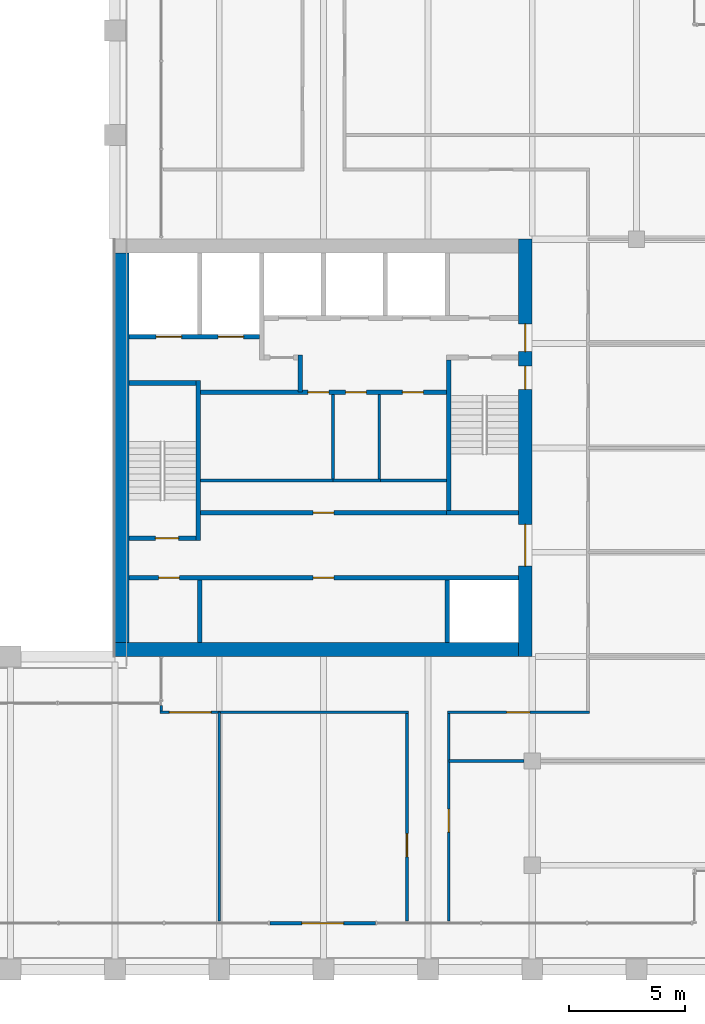
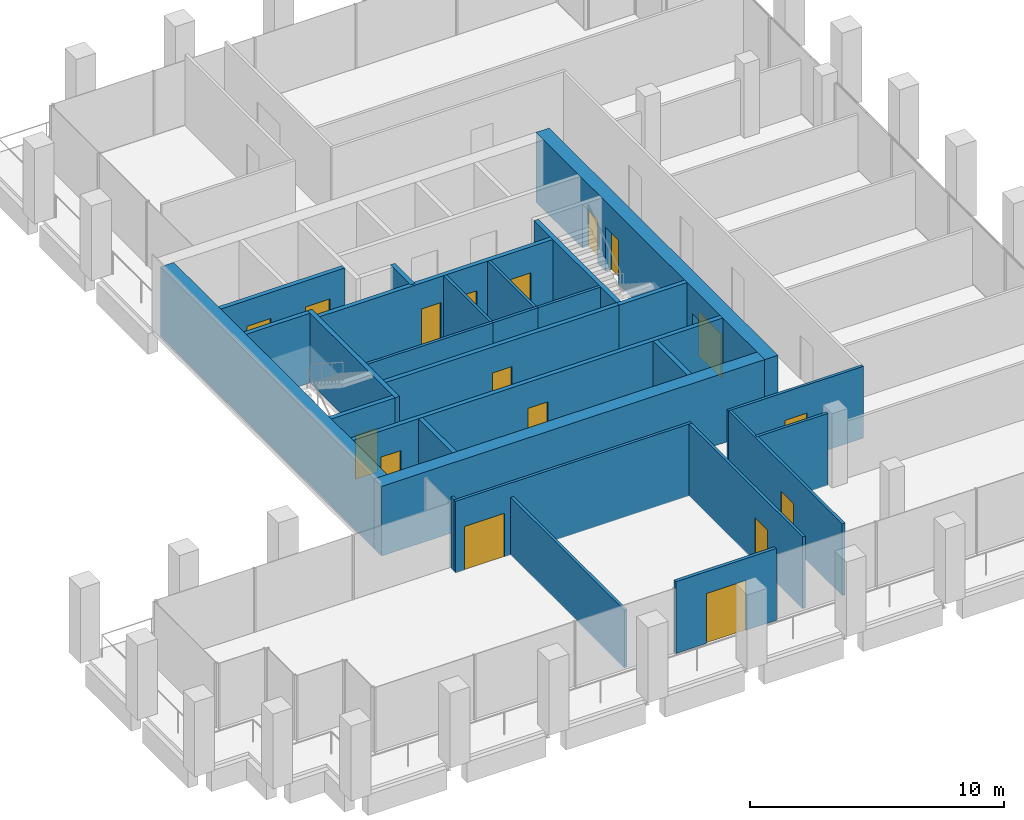
# One storey, part 36 of 40: 28 walls, 17 doors, 17 openings.
"""IFC4 building model written with IfcOpenShell, lengths in metres."""

from ifc_helpers import new_model, si_unit, direction, frame, frame_2d, origin, place, context, subcontext, project, spatial, rectangle, extrude, material, layer, layer_set, type_object, element, fill, save


model = new_model("IFC4")

# Units and contexts
model_context = context("Model", 3, precision=1e-05, world=origin(), true_north=direction((0.0, 1.0)))
body_context = subcontext(model_context, "Body", "Model", "MODEL_VIEW")
ifc_project = project(units=[si_unit("LENGTHUNIT", "METRE"), si_unit("AREAUNIT", "SQUARE_METRE"), si_unit("VOLUMEUNIT", "CUBIC_METRE"), si_unit("PLANEANGLEUNIT", "RADIAN"), si_unit("MASSUNIT", "GRAM", prefix="KILO")], contexts=[model_context])

# Site, building, storey
site_placement = place(None, origin())
site = spatial("IfcSite", under=ifc_project, at=site_placement, CompositionType="ELEMENT")
building_placement = place(site_placement, origin())
building = spatial("IfcBuilding", under=site, at=building_placement, Name="Altepetl Exchange Towers", CompositionType="ELEMENT")
storey_placement = place(building_placement, frame((0.0, 0.0, 176.199951171875)))
storey = spatial("IfcBuildingStorey", under=building, at=storey_placement, Name="L44", CompositionType="ELEMENT", Elevation=176.199951171875)

# Wall, openings, doors
ifc_material_1 = material(Name="Concrete C70/85", Category="concrete")
ifc_layer_1 = layer(ifc_material_1, 0.60009765625)
ifc_layer_set_1 = layer_set([ifc_layer_1], Name="Concrete C70/85")
wall_type_1 = type_object("IfcWallType", Name="Core wall 600 reinforced concrete", PredefinedType="SHEAR", material=ifc_layer_set_1)
wall_1_placement = place(storey_placement, frame((58.199951171875, 40.5, 0.0), z_axis=(0.0, 0.0, 1.0), x_axis=(0.0, 1.0, 0.0)))
wall_1 = element("IfcWall", 1, at=wall_1_placement, inside=storey, type_object=wall_type_1, Name="wall:A:L44:K-coreE", PredefinedType="SHEAR", context=body_context, shape_type="SweptSolid", body=[
    extrude(rectangle(XDim=18.0, YDim=0.60009765625, at=frame_2d((9.0, 0.0))), origin(), (0.0, 0.0, 1.0), 3.35009765625),
])
opening_1_placement = place(wall_1_placement, frame((13.14990234375, 0.0, 0.0)))
opening_1 = element("IfcOpeningElement", 2, at=opening_1_placement, cuts=wall_1, Name="Opening L44.A60", PredefinedType="OPENING", context=body_context, shape_type="SweptSolid", body=[
    extrude(rectangle(XDim=1.199951171875, YDim=2.10009765625, at=frame_2d((0.60009765625, 1.050048828125))), frame((0.0, 0.31005859375, 0.0), z_axis=(0.0, -1.0, 0.0), x_axis=(1.0, 0.0, 0.0)), (0.0, 0.0, 1.0), 0.6201171875),
])
opening_2_placement = place(wall_1_placement, frame((3.89990234375, 0.0, 0.0)))
opening_2 = element("IfcOpeningElement", 3, at=opening_2_placement, cuts=wall_1, Name="Opening L44.A61", PredefinedType="OPENING", context=body_context, shape_type="SweptSolid", body=[
    extrude(rectangle(XDim=1.800048828125, YDim=2.10009765625, at=frame_2d((0.89990234375, 1.050048828125))), frame((0.0, 0.31005859375, 0.0), z_axis=(0.0, -1.0, 0.0), x_axis=(1.0, 0.0, 0.0)), (0.0, 0.0, 1.0), 0.6201171875),
])
opening_3_placement = place(wall_1_placement, frame((11.52490234375, 0.0, 0.0)))
opening_3 = element("IfcOpeningElement", 4, at=opening_3_placement, cuts=wall_1, Name="Opening L44.A64", PredefinedType="OPENING", context=body_context, shape_type="SweptSolid", body=[
    extrude(rectangle(XDim=1.0, YDim=2.10009765625, at=frame_2d((0.5, 1.050048828125))), frame((0.0, 0.31005859375, 0.0), z_axis=(0.0, -1.0, 0.0), x_axis=(1.0, 0.0, 0.0)), (0.0, 0.0, 1.0), 0.6201171875),
])
ifc_material_2 = material(Name="Steel and timber fire door", Category="steel")
door_type_1 = type_object("IfcDoorType", Name="Fire door 1000 x 2100 stair and lobby", OperationType="SINGLE_SWING_LEFT", PredefinedType="DOOR", material=ifc_material_2)
door_1_placement = place(opening_3_placement, origin())
door_1 = element("IfcDoor", 5, at=door_1_placement, inside=storey, type_object=door_type_1, Name="door:A:L44:K-dS2x", OperationType="SINGLE_SWING_RIGHT", OverallHeight=2.10009765625, OverallWidth=1.0, PredefinedType="DOOR", context=body_context, shape_type="SweptSolid", body=[
    extrude(rectangle(XDim=1.0, YDim=2.10009765625, at=frame_2d((0.5, 1.050048828125))), frame((0.0, 0.02490234375, 0.0), z_axis=(0.0, -1.0, 0.0), x_axis=(1.0, 0.0, 0.0)), (0.0, 0.0, 1.0), 0.050048828125),
])
fill(opening_3, door_1)
door_type_2 = type_object("IfcDoorType", Name="Fire door 1200 x 2100 lobby entry", OperationType="SINGLE_SWING_LEFT", PredefinedType="DOOR", material=ifc_material_2)
door_2_placement = place(opening_1_placement, origin())
door_2 = element("IfcDoor", 6, at=door_2_placement, inside=storey, type_object=door_type_2, Name="door:A:L44:K-dLNE", OperationType="SINGLE_SWING_RIGHT", OverallHeight=2.10009765625, OverallWidth=1.199951171875, PredefinedType="DOOR", context=body_context, shape_type="SweptSolid", body=[
    extrude(rectangle(XDim=1.199951171875, YDim=2.10009765625, at=frame_2d((0.60009765625, 1.050048828125))), frame((0.0, 0.02490234375, 0.0), z_axis=(0.0, -1.0, 0.0), x_axis=(1.0, 0.0, 0.0)), (0.0, 0.0, 1.0), 0.050048828125),
])
fill(opening_1, door_2)
door_type_3 = type_object("IfcDoorType", Name="Fire door 1800 x 2100 lobby entry", OperationType="DOUBLE_DOOR_SINGLE_SWING", PredefinedType="DOOR", material=ifc_material_2)
door_3_placement = place(opening_2_placement, origin())
door_3 = element("IfcDoor", 7, at=door_3_placement, inside=storey, type_object=door_type_3, Name="door:A:L44:K-dLSE", OperationType="DOUBLE_DOOR_SINGLE_SWING", OverallHeight=2.10009765625, OverallWidth=1.800048828125, PredefinedType="DOOR", context=body_context, shape_type="SweptSolid", body=[
    extrude(rectangle(XDim=1.800048828125, YDim=2.10009765625, at=frame_2d((0.89990234375, 1.050048828125))), frame((0.0, 0.02490234375, 0.0), z_axis=(0.0, -1.0, 0.0), x_axis=(1.0, 0.0, 0.0)), (0.0, 0.0, 1.0), 0.050048828125),
])
fill(opening_2, door_3)

# Walls
wall_2_placement = place(storey_placement, frame((40.5, 40.800048828125, 0.0)))
element("IfcWall", 8, at=wall_2_placement, inside=storey, type_object=wall_type_1, Name="wall:A:L44:K-coreS", PredefinedType="SHEAR", context=body_context, shape_type="SweptSolid", body=[
    extrude(rectangle(XDim=17.39990234375, YDim=0.60009765625, at=frame_2d((8.699951171875, 0.0))), origin(), (0.0, 0.0, 1.0), 3.35009765625),
])
ifc_layer_2 = layer(ifc_material_1, 0.60009765625)
ifc_layer_set_2 = layer_set([ifc_layer_2], Name="Concrete C70/85")
wall_type_2 = type_object("IfcWallType", Name="Core wall 600 reinforced concrete external", PredefinedType="SHEAR", material=ifc_layer_set_2)
wall_3_placement = place(storey_placement, frame((40.800048828125, 41.10009765625, 0.0), z_axis=(0.0, 0.0, 1.0), x_axis=(0.0, 1.0, 0.0)))
element("IfcWall", 9, at=wall_3_placement, inside=storey, type_object=wall_type_2, Name="wall:A:L44:K-coreW", PredefinedType="SHEAR", context=body_context, shape_type="SweptSolid", body=[
    extrude(rectangle(XDim=16.7998046875, YDim=0.60009765625, at=frame_2d((8.39990234375, 0.0))), origin(), (0.0, 0.0, 1.0), 3.35009765625),
])

# Wall, opening, door
ifc_material_3 = material(Name="Aluminium composite cladding", Category="aluminium")
ifc_layer_3 = layer(ifc_material_3, 0.14990234375)
ifc_layer_set_3 = layer_set([ifc_layer_3], Name="Aluminium composite cladding")
wall_type_3 = type_object("IfcWallType", Name="Infill wall 150 aluminium panel", PredefinedType="SOLIDWALL", material=ifc_layer_set_3)
wall_4_placement = place(storey_placement, frame((47.18212890625, 29.0, 0.0)))
wall_4 = element("IfcWall", 10, at=wall_4_placement, inside=storey, type_object=wall_type_3, Name="Loggia door bay wall", PredefinedType="SOLIDWALL", context=body_context, shape_type="SweptSolid", body=[
    extrude(rectangle(XDim=4.560791015625, YDim=0.14990234375, at=frame_2d((2.2802734375, 0.0))), origin(), (0.0, 0.0, 1.0), 3.449951171875),
])
opening_4_placement = place(wall_4_placement, frame((1.38037109375, 0.0, 0.0)))
opening_4 = element("IfcOpeningElement", 11, at=opening_4_placement, cuts=wall_4, Name="Opening L44.A90", PredefinedType="OPENING", context=body_context, shape_type="SweptSolid", body=[
    extrude(rectangle(XDim=1.800048828125, YDim=2.39990234375, at=frame_2d((0.89990234375, 1.199951171875))), frame((0.0, 0.0849609375, 0.0), z_axis=(0.0, -1.0, 0.0), x_axis=(1.0, 0.0, 0.0)), (0.0, 0.0, 1.0), 0.169921875),
])
ifc_material_4 = material(Name="Aluminium 6063-T6 and glass", Category="aluminium")
door_type_4 = type_object("IfcDoorType", Name="Glazed door pair 1800x2400", OperationType="DOUBLE_DOOR_DOUBLE_SWING", PredefinedType="NOTDEFINED", material=ifc_material_4)
door_4_placement = place(opening_4_placement, frame((1.800048828125, 0.0, 0.0), x_axis=(-1.0, 0.0, 0.0)))
door_4 = element("IfcDoor", 12, at=door_4_placement, inside=storey, type_object=door_type_4, Name="Loggia door", OperationType="DOUBLE_DOOR_DOUBLE_SWING", OverallHeight=2.39990234375, OverallWidth=1.800048828125, PredefinedType="NOTDEFINED", context=body_context, shape_type="SweptSolid", body=[
    extrude(rectangle(XDim=1.800048828125, YDim=2.39990234375, at=frame_2d((0.89990234375, 1.199951171875))), frame((0.0, 0.02490234375, 0.0), z_axis=(0.0, -1.0, 0.0), x_axis=(1.0, 0.0, 0.0)), (0.0, 0.0, 1.0), 0.050048828125),
])
fill(opening_4, door_4)

# Wall
ifc_material_5 = material(Name="Concrete blockwork", Category="masonry")
ifc_layer_4 = layer(ifc_material_5, 0.199951171875)
ifc_layer_set_4 = layer_set([ifc_layer_4], Name="Concrete blockwork")
wall_type_4 = type_object("IfcWallType", Name="Lobby wall 200 blockwork", PredefinedType="PARTITIONING", material=ifc_layer_set_4)
wall_5_placement = place(storey_placement, frame((48.5, 51.89990234375, 0.0), z_axis=(0.0, 0.0, 1.0), x_axis=(0.0, 1.0, 0.0)))
element("IfcWall", 13, at=wall_5_placement, inside=storey, type_object=wall_type_4, Name="wall:A:L44:K-ffE", PredefinedType="PARTITIONING", context=body_context, shape_type="SweptSolid", body=[
    extrude(rectangle(XDim=1.60009765625, YDim=0.199951171875, at=frame_2d((0.800048828125, 0.0))), origin(), (0.0, 0.0, 1.0), 3.35009765625),
])

# Wall, openings, doors
wall_6_placement = place(storey_placement, frame((44.199951171875, 51.89990234375, 0.0)))
wall_6 = element("IfcWall", 14, at=wall_6_placement, inside=storey, type_object=wall_type_4, Name="wall:A:L44:K-zoneN", PredefinedType="PARTITIONING", context=body_context, shape_type="SweptSolid", body=[
    extrude(rectangle(XDim=10.60009765625, YDim=0.199951171875, at=frame_2d((5.300048828125, 0.0))), origin(), (0.0, 0.0, 1.0), 3.35009765625),
])
opening_5_placement = place(wall_6_placement, frame((4.625, 0.0, 0.0)))
opening_5 = element("IfcOpeningElement", 15, at=opening_5_placement, cuts=wall_6, Name="Opening L44.A70", PredefinedType="OPENING", context=body_context, shape_type="SweptSolid", body=[
    extrude(rectangle(XDim=0.89990234375, YDim=2.10009765625, at=frame_2d((0.449951171875, 1.050048828125))), frame((0.0, 0.10986328125, 0.0), z_axis=(0.0, -1.0, 0.0), x_axis=(1.0, 0.0, 0.0)), (0.0, 0.0, 1.0), 0.219970703125),
])
opening_6_placement = place(wall_6_placement, frame((6.25, 0.0, 0.0)))
opening_6 = element("IfcOpeningElement", 16, at=opening_6_placement, cuts=wall_6, Name="Opening L44.A71", PredefinedType="OPENING", context=body_context, shape_type="SweptSolid", body=[
    extrude(rectangle(XDim=0.89990234375, YDim=2.10009765625, at=frame_2d((0.449951171875, 1.050048828125))), frame((0.0, 0.10986328125, 0.0), z_axis=(0.0, -1.0, 0.0), x_axis=(1.0, 0.0, 0.0)), (0.0, 0.0, 1.0), 0.219970703125),
])
opening_7_placement = place(wall_6_placement, frame((8.699951171875, 0.0, 0.0)))
opening_7 = element("IfcOpeningElement", 17, at=opening_7_placement, cuts=wall_6, Name="Opening L44.A72", PredefinedType="OPENING", context=body_context, shape_type="SweptSolid", body=[
    extrude(rectangle(XDim=0.89990234375, YDim=2.10009765625, at=frame_2d((0.449951171875, 1.050048828125))), frame((0.0, 0.10986328125, 0.0), z_axis=(0.0, -1.0, 0.0), x_axis=(1.0, 0.0, 0.0)), (0.0, 0.0, 1.0), 0.219970703125),
])
door_type_5 = type_object("IfcDoorType", Name="Fire door 900 x 2100 service room", OperationType="SINGLE_SWING_LEFT", PredefinedType="DOOR", material=ifc_material_2)
door_5_placement = place(opening_5_placement, frame((0.89990234375, 0.0, 0.0), x_axis=(-1.0, 0.0, 0.0)))
door_5 = element("IfcDoor", 18, at=door_5_placement, inside=storey, type_object=door_type_5, Name="door:A:L44:K-dz2", OperationType="SINGLE_SWING_RIGHT", OverallHeight=2.10009765625, OverallWidth=0.89990234375, PredefinedType="DOOR", context=body_context, shape_type="SweptSolid", body=[
    extrude(rectangle(XDim=0.89990234375, YDim=2.10009765625, at=frame_2d((0.449951171875, 1.050048828125))), frame((0.0, 0.02490234375, 0.0), z_axis=(0.0, -1.0, 0.0), x_axis=(1.0, 0.0, 0.0)), (0.0, 0.0, 1.0), 0.050048828125),
])
fill(opening_5, door_5)
door_6_placement = place(opening_6_placement, frame((0.89990234375, 0.0, 0.0), x_axis=(-1.0, 0.0, 0.0)))
door_6 = element("IfcDoor", 19, at=door_6_placement, inside=storey, type_object=door_type_5, Name="door:A:L44:K-dz3", OperationType="SINGLE_SWING_LEFT", OverallHeight=2.10009765625, OverallWidth=0.89990234375, PredefinedType="DOOR", context=body_context, shape_type="SweptSolid", body=[
    extrude(rectangle(XDim=0.89990234375, YDim=2.10009765625, at=frame_2d((0.449951171875, 1.050048828125))), frame((0.0, 0.02490234375, 0.0), z_axis=(0.0, -1.0, 0.0), x_axis=(1.0, 0.0, 0.0)), (0.0, 0.0, 1.0), 0.050048828125),
])
fill(opening_6, door_6)
door_7_placement = place(opening_7_placement, frame((0.89990234375, 0.0, 0.0), x_axis=(-1.0, 0.0, 0.0)))
door_7 = element("IfcDoor", 20, at=door_7_placement, inside=storey, type_object=door_type_5, Name="door:A:L44:K-dz4", OperationType="SINGLE_SWING_LEFT", OverallHeight=2.10009765625, OverallWidth=0.89990234375, PredefinedType="DOOR", context=body_context, shape_type="SweptSolid", body=[
    extrude(rectangle(XDim=0.89990234375, YDim=2.10009765625, at=frame_2d((0.449951171875, 1.050048828125))), frame((0.0, 0.02490234375, 0.0), z_axis=(0.0, -1.0, 0.0), x_axis=(1.0, 0.0, 0.0)), (0.0, 0.0, 1.0), 0.050048828125),
])
fill(opening_7, door_7)

# Wall, opening, door
wall_7_placement = place(storey_placement, frame((44.199951171875, 46.699951171875, 0.0)))
wall_7 = element("IfcWall", 21, at=wall_7_placement, inside=storey, type_object=wall_type_4, Name="wall:A:L44:K-zoneS", PredefinedType="PARTITIONING", context=body_context, shape_type="SweptSolid", body=[
    extrude(rectangle(XDim=10.60009765625, YDim=0.199951171875, at=frame_2d((5.300048828125, 0.0))), origin(), (0.0, 0.0, 1.0), 3.35009765625),
])
opening_8_placement = place(wall_7_placement, frame((4.85009765625, 0.0, 0.0)))
opening_8 = element("IfcOpeningElement", 22, at=opening_8_placement, cuts=wall_7, Name="Opening L44.A69", PredefinedType="OPENING", context=body_context, shape_type="SweptSolid", body=[
    extrude(rectangle(XDim=0.89990234375, YDim=2.10009765625, at=frame_2d((0.449951171875, 1.050048828125))), frame((0.0, 0.10986328125, 0.0), z_axis=(0.0, -1.0, 0.0), x_axis=(1.0, 0.0, 0.0)), (0.0, 0.0, 1.0), 0.219970703125),
])
door_8_placement = place(opening_8_placement, origin())
door_8 = element("IfcDoor", 23, at=door_8_placement, inside=storey, type_object=door_type_5, Name="door:A:L44:K-dz1", OperationType="SINGLE_SWING_LEFT", OverallHeight=2.10009765625, OverallWidth=0.89990234375, PredefinedType="DOOR", context=body_context, shape_type="SweptSolid", body=[
    extrude(rectangle(XDim=0.89990234375, YDim=2.10009765625, at=frame_2d((0.449951171875, 1.050048828125))), frame((0.0, 0.02490234375, 0.0), z_axis=(0.0, -1.0, 0.0), x_axis=(1.0, 0.0, 0.0)), (0.0, 0.0, 1.0), 0.050048828125),
])
fill(opening_8, door_8)

# Walls
ifc_material_6 = material(Name="Gypsum board on steel studs", Category="steel")
ifc_layer_5 = layer(ifc_material_6, 0.125)
ifc_layer_set_5 = layer_set([ifc_layer_5], Name="Gypsum board on steel studs")
wall_type_5 = type_object("IfcWallType", Name="Partition 125 gypsum board on steel studs", PredefinedType="PARTITIONING", material=ifc_layer_set_5)
wall_8_placement = place(storey_placement, frame((49.96240234375, 48.10009765625, 0.0), z_axis=(0.0, 0.0, 1.0), x_axis=(-1.0, 0.0, 0.0)))
element("IfcWall", 24, at=wall_8_placement, inside=storey, type_object=wall_type_5, Name="wall:A:L44:K-zp1", PredefinedType="PARTITIONING", context=body_context, shape_type="SweptSolid", body=[
    extrude(rectangle(XDim=5.762451171875, YDim=0.125, at=frame_2d((2.88134765625, 0.0))), origin(), (0.0, 0.0, 1.0), 3.35009765625),
])
wall_9_placement = place(storey_placement, frame((51.96240234375, 48.10009765625, 0.0), z_axis=(0.0, 0.0, 1.0), x_axis=(-1.0, 0.0, 0.0)))
element("IfcWall", 25, at=wall_9_placement, inside=storey, type_object=wall_type_5, Name="wall:A:L44:K-zp2", PredefinedType="PARTITIONING", context=body_context, shape_type="SweptSolid", body=[
    extrude(rectangle(XDim=2.0625, YDim=0.125, at=frame_2d((1.03125, 0.0))), origin(), (0.0, 0.0, 1.0), 3.35009765625),
])
wall_10_placement = place(storey_placement, frame((49.89990234375, 48.16259765625, 0.0), z_axis=(0.0, 0.0, 1.0), x_axis=(0.0, 1.0, 0.0)))
element("IfcWall", 26, at=wall_10_placement, inside=storey, type_object=wall_type_5, Name="wall:A:L44:K-zp3", PredefinedType="PARTITIONING", context=body_context, shape_type="SweptSolid", body=[
    extrude(rectangle(XDim=3.637451171875, YDim=0.125, at=frame_2d((1.81884765625, 0.0))), origin(), (0.0, 0.0, 1.0), 3.35009765625),
])
wall_11_placement = place(storey_placement, frame((54.800048828125, 48.10009765625, 0.0), z_axis=(0.0, 0.0, 1.0), x_axis=(-1.0, 0.0, 0.0)))
element("IfcWall", 27, at=wall_11_placement, inside=storey, type_object=wall_type_5, Name="wall:A:L44:K-zp4", PredefinedType="PARTITIONING", context=body_context, shape_type="SweptSolid", body=[
    extrude(rectangle(XDim=2.900146484375, YDim=0.125, at=frame_2d((1.4501953125, 0.0))), origin(), (0.0, 0.0, 1.0), 3.35009765625),
])
wall_12_placement = place(storey_placement, frame((51.89990234375, 48.16259765625, 0.0), z_axis=(0.0, 0.0, 1.0), x_axis=(0.0, 1.0, 0.0)))
element("IfcWall", 28, at=wall_12_placement, inside=storey, type_object=wall_type_5, Name="wall:A:L44:K-zp5", PredefinedType="PARTITIONING", context=body_context, shape_type="SweptSolid", body=[
    extrude(rectangle(XDim=3.637451171875, YDim=0.125, at=frame_2d((1.81884765625, 0.0))), origin(), (0.0, 0.0, 1.0), 3.35009765625),
])
wall_13_placement = place(storey_placement, frame((54.89990234375, 36.0, 0.0)))
element("IfcWall", 29, at=wall_13_placement, inside=storey, type_object=wall_type_5, Name="wall:A:L44:P01", PredefinedType="PARTITIONING", context=body_context, shape_type="SweptSolid", body=[
    extrude(rectangle(XDim=3.25, YDim=0.125, at=frame_2d((1.625, 0.0))), origin(), (0.0, 0.0, 1.0), 3.449951171875),
])

# Wall, opening, door
wall_14_placement = place(storey_placement, frame((42.4375, 38.10009765625, 0.0)))
wall_14 = element("IfcWall", 30, at=wall_14_placement, inside=storey, type_object=wall_type_5, Name="wall:A:L44:P03", PredefinedType="PARTITIONING", context=body_context, shape_type="SweptSolid", body=[
    extrude(rectangle(XDim=10.72509765625, YDim=0.125, at=frame_2d((5.362548828125, 0.0))), origin(), (0.0, 0.0, 1.0), 3.449951171875),
])
opening_9_placement = place(wall_14_placement, frame((0.41259765625, 0.0, 0.0)))
opening_9 = element("IfcOpeningElement", 31, at=opening_9_placement, cuts=wall_14, Name="Opening L44.A01", PredefinedType="OPENING", context=body_context, shape_type="SweptSolid", body=[
    extrude(rectangle(XDim=1.800048828125, YDim=2.10009765625, at=frame_2d((0.89990234375, 1.050048828125))), frame((0.0, 0.072509765625, 0.0), z_axis=(0.0, -1.0, 0.0), x_axis=(1.0, 0.0, 0.0)), (0.0, 0.0, 1.0), 0.14501953125),
])
door_type_6 = type_object("IfcDoorType", Name="Fire door 1800 x 2100 double leaf", OperationType="DOUBLE_DOOR_SINGLE_SWING", PredefinedType="DOOR", material=ifc_material_2)
door_9_placement = place(opening_9_placement, frame((1.800048828125, 0.0, 0.0), x_axis=(-1.0, 0.0, 0.0)))
door_9 = element("IfcDoor", 32, at=door_9_placement, inside=storey, type_object=door_type_6, Name="door:A:L44:01", OperationType="DOUBLE_DOOR_SINGLE_SWING", OverallHeight=2.10009765625, OverallWidth=1.800048828125, PredefinedType="DOOR", context=body_context, shape_type="SweptSolid", body=[
    extrude(rectangle(XDim=1.800048828125, YDim=2.10009765625, at=frame_2d((0.89990234375, 1.050048828125))), frame((0.0, 0.02490234375, 0.0), z_axis=(0.0, -1.0, 0.0), x_axis=(1.0, 0.0, 0.0)), (0.0, 0.0, 1.0), 0.050048828125),
])
fill(opening_9, door_9)

wall_15_placement = place(storey_placement, frame((54.83740234375, 38.10009765625, 0.0)))
wall_15 = element("IfcWall", 33, at=wall_15_placement, inside=storey, type_object=wall_type_5, Name="wall:A:L44:P04", PredefinedType="PARTITIONING", context=body_context, shape_type="SweptSolid", body=[
    extrude(rectangle(XDim=6.125, YDim=0.125, at=frame_2d((3.0625, 0.0))), origin(), (0.0, 0.0, 1.0), 3.449951171875),
])
opening_10_placement = place(wall_15_placement, frame((2.5625, 0.0, 0.0)))
opening_10 = element("IfcOpeningElement", 34, at=opening_10_placement, cuts=wall_15, Name="Opening L44.A04", PredefinedType="OPENING", context=body_context, shape_type="SweptSolid", body=[
    extrude(rectangle(XDim=1.0, YDim=2.10009765625, at=frame_2d((0.5, 1.050048828125))), frame((0.0, 0.072509765625, 0.0), z_axis=(0.0, -1.0, 0.0), x_axis=(1.0, 0.0, 0.0)), (0.0, 0.0, 1.0), 0.14501953125),
])
door_type_7 = type_object("IfcDoorType", Name="Fire door 1000 x 2100 single leaf", OperationType="SINGLE_SWING_LEFT", PredefinedType="DOOR", material=ifc_material_2)
door_10_placement = place(opening_10_placement, origin())
door_10 = element("IfcDoor", 35, at=door_10_placement, inside=storey, type_object=door_type_7, Name="door:A:L44:04", OperationType="SINGLE_SWING_LEFT", OverallHeight=2.10009765625, OverallWidth=1.0, PredefinedType="DOOR", context=body_context, shape_type="SweptSolid", body=[
    extrude(rectangle(XDim=1.0, YDim=2.10009765625, at=frame_2d((0.5, 1.050048828125))), frame((0.0, 0.02490234375, 0.0), z_axis=(0.0, -1.0, 0.0), x_axis=(1.0, 0.0, 0.0)), (0.0, 0.0, 1.0), 0.050048828125),
])
fill(opening_10, door_10)

# Walls
wall_16_placement = place(storey_placement, frame((42.5, 38.16259765625, 0.0), z_axis=(0.0, 0.0, 1.0), x_axis=(0.0, 1.0, 0.0)))
element("IfcWall", 36, at=wall_16_placement, inside=storey, type_object=wall_type_5, Name="wall:A:L44:P15", PredefinedType="PARTITIONING", context=body_context, shape_type="SweptSolid", body=[
    extrude(rectangle(XDim=0.2373046875, YDim=0.125, at=frame_2d((0.11865234375, 0.0))), origin(), (0.0, 0.0, 1.0), 3.449951171875),
])
wall_17_placement = place(storey_placement, frame((45.0, 29.10009765625, 0.0), z_axis=(0.0, 0.0, 1.0), x_axis=(0.0, 1.0, 0.0)))
element("IfcWall", 37, at=wall_17_placement, inside=storey, type_object=wall_type_5, Name="wall:A:L44:P16", PredefinedType="PARTITIONING", context=body_context, shape_type="SweptSolid", body=[
    extrude(rectangle(XDim=9.0, YDim=0.125, at=frame_2d((4.5, 0.0))), origin(), (0.0, 0.0, 1.0), 2.76611328125),
])

# Wall, opening, door
wall_18_placement = place(storey_placement, frame((53.10009765625, 29.10009765625, 0.0), z_axis=(0.0, 0.0, 1.0), x_axis=(0.0, 1.0, 0.0)))
wall_18 = element("IfcWall", 38, at=wall_18_placement, inside=storey, type_object=wall_type_5, Name="wall:A:L44:P19", PredefinedType="PARTITIONING", context=body_context, shape_type="SweptSolid", body=[
    extrude(rectangle(XDim=8.9375, YDim=0.125, at=frame_2d((4.46875, 0.0))), origin(), (0.0, 0.0, 1.0), 3.449951171875),
])
opening_11_placement = place(wall_18_placement, frame((2.758056640625, 0.0, 0.0)))
opening_11 = element("IfcOpeningElement", 39, at=opening_11_placement, cuts=wall_18, Name="Opening L44.A02", PredefinedType="OPENING", context=body_context, shape_type="SweptSolid", body=[
    extrude(rectangle(XDim=1.0, YDim=2.10009765625, at=frame_2d((0.5, 1.050048828125))), frame((0.0, 0.072509765625, 0.0), z_axis=(0.0, -1.0, 0.0), x_axis=(1.0, 0.0, 0.0)), (0.0, 0.0, 1.0), 0.14501953125),
])
door_11_placement = place(opening_11_placement, origin())
door_11 = element("IfcDoor", 40, at=door_11_placement, inside=storey, type_object=door_type_7, Name="door:A:L44:02", OperationType="SINGLE_SWING_RIGHT", OverallHeight=2.10009765625, OverallWidth=1.0, PredefinedType="DOOR", context=body_context, shape_type="SweptSolid", body=[
    extrude(rectangle(XDim=1.0, YDim=2.10009765625, at=frame_2d((0.5, 1.050048828125))), frame((0.0, 0.02490234375, 0.0), z_axis=(0.0, -1.0, 0.0), x_axis=(1.0, 0.0, 0.0)), (0.0, 0.0, 1.0), 0.050048828125),
])
fill(opening_11, door_11)

wall_19_placement = place(storey_placement, frame((54.89990234375, 29.10009765625, 0.0), z_axis=(0.0, 0.0, 1.0), x_axis=(0.0, 1.0, 0.0)))
wall_19 = element("IfcWall", 41, at=wall_19_placement, inside=storey, type_object=wall_type_5, Name="wall:A:L44:P20", PredefinedType="PARTITIONING", context=body_context, shape_type="SweptSolid", body=[
    extrude(rectangle(XDim=8.9375, YDim=0.125, at=frame_2d((4.46875, 0.0))), origin(), (0.0, 0.0, 1.0), 3.449951171875),
])
opening_12_placement = place(wall_19_placement, frame((3.824951171875, 0.0, 0.0)))
opening_12 = element("IfcOpeningElement", 42, at=opening_12_placement, cuts=wall_19, Name="Opening L44.A03", PredefinedType="OPENING", context=body_context, shape_type="SweptSolid", body=[
    extrude(rectangle(XDim=1.0, YDim=2.10009765625, at=frame_2d((0.5, 1.050048828125))), frame((0.0, 0.072509765625, 0.0), z_axis=(0.0, -1.0, 0.0), x_axis=(1.0, 0.0, 0.0)), (0.0, 0.0, 1.0), 0.14501953125),
])
door_12_placement = place(opening_12_placement, frame((1.0, 0.0, 0.0), x_axis=(-1.0, 0.0, 0.0)))
door_12 = element("IfcDoor", 43, at=door_12_placement, inside=storey, type_object=door_type_7, Name="door:A:L44:03", OperationType="SINGLE_SWING_LEFT", OverallHeight=2.10009765625, OverallWidth=1.0, PredefinedType="DOOR", context=body_context, shape_type="SweptSolid", body=[
    extrude(rectangle(XDim=1.0, YDim=2.10009765625, at=frame_2d((0.5, 1.050048828125))), frame((0.0, 0.02490234375, 0.0), z_axis=(0.0, -1.0, 0.0), x_axis=(1.0, 0.0, 0.0)), (0.0, 0.0, 1.0), 0.050048828125),
])
fill(opening_12, door_12)

# Wall
ifc_material_7 = material(Name="Concrete C40/50", Category="concrete")
ifc_layer_6 = layer(ifc_material_7, 0.199951171875)
ifc_layer_set_6 = layer_set([ifc_layer_6], Name="Concrete C40/50")
wall_type_6 = type_object("IfcWallType", Name="Shaft wall 200 reinforced concrete", PredefinedType="SHEAR", material=ifc_layer_set_6)
wall_20_placement = place(storey_placement, frame((54.833251953125, 41.10009765625, 0.0), z_axis=(0.0, 0.0, 1.0), x_axis=(0.0, 1.0, 0.0)))
element("IfcWall", 44, at=wall_20_placement, inside=storey, type_object=wall_type_6, Name="wall:A:L44:K-divS5", PredefinedType="SHEAR", context=body_context, shape_type="SweptSolid", body=[
    extrude(rectangle(XDim=2.699951171875, YDim=0.199951171875, at=frame_2d((1.35009765625, 0.0))), origin(), (0.0, 0.0, 1.0), 3.35009765625),
])

# Wall, openings, doors
wall_21_placement = place(storey_placement, frame((41.10009765625, 54.300048828125, 0.0)))
wall_21 = element("IfcWall", 45, at=wall_21_placement, inside=storey, type_object=wall_type_6, Name="wall:A:L44:K-frontNd", PredefinedType="SHEAR", context=body_context, shape_type="SweptSolid", body=[
    extrude(rectangle(XDim=5.63330078125, YDim=0.199951171875, at=frame_2d((2.816650390625, 0.0))), origin(), (0.0, 0.0, 1.0), 3.35009765625),
])
opening_13_placement = place(wall_21_placement, frame((1.183349609375, 0.0, 0.0)))
opening_13 = element("IfcOpeningElement", 46, at=opening_13_placement, cuts=wall_21, Name="Opening L44.A73", PredefinedType="OPENING", context=body_context, shape_type="SweptSolid", body=[
    extrude(rectangle(XDim=1.10009765625, YDim=2.10009765625, at=frame_2d((0.550048828125, 1.050048828125))), frame((0.0, 0.10986328125, 0.0), z_axis=(0.0, -1.0, 0.0), x_axis=(1.0, 0.0, 0.0)), (0.0, 0.0, 1.0), 0.219970703125),
])
opening_14_placement = place(wall_21_placement, frame((3.85009765625, 0.0, 0.0)))
opening_14 = element("IfcOpeningElement", 47, at=opening_14_placement, cuts=wall_21, Name="Opening L44.A74", PredefinedType="OPENING", context=body_context, shape_type="SweptSolid", body=[
    extrude(rectangle(XDim=1.10009765625, YDim=2.10009765625, at=frame_2d((0.550048828125, 1.050048828125))), frame((0.0, 0.10986328125, 0.0), z_axis=(0.0, -1.0, 0.0), x_axis=(1.0, 0.0, 0.0)), (0.0, 0.0, 1.0), 0.219970703125),
])
ifc_material_8 = material(Name="Stainless steel", Category="steel")
door_type_8 = type_object("IfcDoorType", Name="Lift landing door 1100 x 2100", OperationType="SLIDING_TO_LEFT", PredefinedType="DOOR", material=ifc_material_8)
door_13_placement = place(opening_13_placement, origin())
door_13 = element("IfcDoor", 48, at=door_13_placement, inside=storey, type_object=door_type_8, Name="Landing door FFL1", OperationType="SLIDING_TO_LEFT", OverallHeight=2.10009765625, OverallWidth=1.10009765625, PredefinedType="DOOR", context=body_context, shape_type="SweptSolid", body=[
    extrude(rectangle(XDim=1.10009765625, YDim=2.10009765625, at=frame_2d((0.550048828125, 1.050048828125))), frame((0.0, 0.02490234375, 0.0), z_axis=(0.0, -1.0, 0.0), x_axis=(1.0, 0.0, 0.0)), (0.0, 0.0, 1.0), 0.050048828125),
])
fill(opening_13, door_13)
door_14_placement = place(opening_14_placement, origin())
door_14 = element("IfcDoor", 49, at=door_14_placement, inside=storey, type_object=door_type_8, Name="Landing door FFL2", OperationType="SLIDING_TO_LEFT", OverallHeight=2.10009765625, OverallWidth=1.10009765625, PredefinedType="DOOR", context=body_context, shape_type="SweptSolid", body=[
    extrude(rectangle(XDim=1.10009765625, YDim=2.10009765625, at=frame_2d((0.550048828125, 1.050048828125))), frame((0.0, 0.02490234375, 0.0), z_axis=(0.0, -1.0, 0.0), x_axis=(1.0, 0.0, 0.0)), (0.0, 0.0, 1.0), 0.050048828125),
])
fill(opening_14, door_14)

wall_22_placement = place(storey_placement, frame((41.10009765625, 43.89990234375, 0.0)))
wall_22 = element("IfcWall", 50, at=wall_22_placement, inside=storey, type_object=wall_type_6, Name="wall:A:L44:K-frontS", PredefinedType="SHEAR", context=body_context, shape_type="SweptSolid", body=[
    extrude(rectangle(XDim=16.7998046875, YDim=0.199951171875, at=frame_2d((8.39990234375, 0.0))), origin(), (0.0, 0.0, 1.0), 3.35009765625),
])
opening_15_placement = place(wall_22_placement, frame((1.283203125, 0.0, 0.0)))
opening_15 = element("IfcOpeningElement", 51, at=opening_15_placement, cuts=wall_22, Name="Opening L44.A67", PredefinedType="OPENING", context=body_context, shape_type="SweptSolid", body=[
    extrude(rectangle(XDim=0.89990234375, YDim=2.10009765625, at=frame_2d((0.449951171875, 1.050048828125))), frame((0.0, 0.10986328125, 0.0), z_axis=(0.0, -1.0, 0.0), x_axis=(1.0, 0.0, 0.0)), (0.0, 0.0, 1.0), 0.219970703125),
])
opening_16_placement = place(wall_22_placement, frame((7.949951171875, 0.0, 0.0)))
opening_16 = element("IfcOpeningElement", 52, at=opening_16_placement, cuts=wall_22, Name="Opening L44.A68", PredefinedType="OPENING", context=body_context, shape_type="SweptSolid", body=[
    extrude(rectangle(XDim=0.89990234375, YDim=2.10009765625, at=frame_2d((0.449951171875, 1.050048828125))), frame((0.0, 0.10986328125, 0.0), z_axis=(0.0, -1.0, 0.0), x_axis=(1.0, 0.0, 0.0)), (0.0, 0.0, 1.0), 0.219970703125),
])
door_15_placement = place(opening_15_placement, frame((0.89990234375, 0.0, 0.0), x_axis=(-1.0, 0.0, 0.0)))
door_15 = element("IfcDoor", 53, at=door_15_placement, inside=storey, type_object=door_type_5, Name="door:A:L44:K-dslotS0", OperationType="SINGLE_SWING_LEFT", OverallHeight=2.10009765625, OverallWidth=0.89990234375, PredefinedType="DOOR", context=body_context, shape_type="SweptSolid", body=[
    extrude(rectangle(XDim=0.89990234375, YDim=2.10009765625, at=frame_2d((0.449951171875, 1.050048828125))), frame((0.0, 0.02490234375, 0.0), z_axis=(0.0, -1.0, 0.0), x_axis=(1.0, 0.0, 0.0)), (0.0, 0.0, 1.0), 0.050048828125),
])
fill(opening_15, door_15)
door_16_placement = place(opening_16_placement, frame((0.89990234375, 0.0, 0.0), x_axis=(-1.0, 0.0, 0.0)))
door_16 = element("IfcDoor", 54, at=door_16_placement, inside=storey, type_object=door_type_5, Name="door:A:L44:K-dslotS1", OperationType="SINGLE_SWING_LEFT", OverallHeight=2.10009765625, OverallWidth=0.89990234375, PredefinedType="DOOR", context=body_context, shape_type="SweptSolid", body=[
    extrude(rectangle(XDim=0.89990234375, YDim=2.10009765625, at=frame_2d((0.449951171875, 1.050048828125))), frame((0.0, 0.02490234375, 0.0), z_axis=(0.0, -1.0, 0.0), x_axis=(1.0, 0.0, 0.0)), (0.0, 0.0, 1.0), 0.050048828125),
])
fill(opening_16, door_16)

# Walls
ifc_layer_7 = layer(ifc_material_1, 0.199951171875)
ifc_layer_set_7 = layer_set([ifc_layer_7], Name="Concrete C70/85")
wall_type_7 = type_object("IfcWallType", Name="Shear wall 200 reinforced concrete", PredefinedType="SHEAR", material=ifc_layer_set_7)
wall_23_placement = place(storey_placement, frame((44.166748046875, 41.10009765625, 0.0), z_axis=(0.0, 0.0, 1.0), x_axis=(0.0, 1.0, 0.0)))
element("IfcWall", 55, at=wall_23_placement, inside=storey, type_object=wall_type_7, Name="wall:A:L44:K-divS1", PredefinedType="SHEAR", context=body_context, shape_type="SweptSolid", body=[
    extrude(rectangle(XDim=2.699951171875, YDim=0.199951171875, at=frame_2d((1.35009765625, 0.0))), origin(), (0.0, 0.0, 1.0), 3.35009765625),
])
ifc_layer_8 = layer(ifc_material_7, 0.199951171875)
ifc_layer_set_8 = layer_set([ifc_layer_8], Name="Concrete C40/50")
wall_type_8 = type_object("IfcWallType", Name="Stair wall 200 reinforced concrete", PredefinedType="SHEAR", material=ifc_layer_set_8)
wall_24_placement = place(storey_placement, frame((44.10009765625, 45.5, 0.0), z_axis=(0.0, 0.0, 1.0), x_axis=(0.0, 1.0, 0.0)))
element("IfcWall", 56, at=wall_24_placement, inside=storey, type_object=wall_type_8, Name="wall:A:L44:K-stS1E", PredefinedType="SHEAR", context=body_context, shape_type="SweptSolid", body=[
    extrude(rectangle(XDim=6.89990234375, YDim=0.199951171875, at=frame_2d((3.449951171875, 0.0))), origin(), (0.0, 0.0, 1.0), 3.35009765625),
])
wall_25_placement = place(storey_placement, frame((41.10009765625, 52.300048828125, 0.0)))
element("IfcWall", 57, at=wall_25_placement, inside=storey, type_object=wall_type_8, Name="wall:A:L44:K-stS1N", PredefinedType="SHEAR", context=body_context, shape_type="SweptSolid", body=[
    extrude(rectangle(XDim=2.89990234375, YDim=0.199951171875, at=frame_2d((1.449951171875, 0.0))), origin(), (0.0, 0.0, 1.0), 3.35009765625),
])

# Wall, opening, door
wall_26_placement = place(storey_placement, frame((41.10009765625, 45.60009765625, 0.0)))
wall_26 = element("IfcWall", 58, at=wall_26_placement, inside=storey, type_object=wall_type_8, Name="wall:A:L44:K-stS1S", PredefinedType="SHEAR", context=body_context, shape_type="SweptSolid", body=[
    extrude(rectangle(XDim=2.89990234375, YDim=0.199951171875, at=frame_2d((1.449951171875, 0.0))), origin(), (0.0, 0.0, 1.0), 3.35009765625),
])
opening_17_placement = place(wall_26_placement, frame((1.14990234375, 0.0, 0.0)))
opening_17 = element("IfcOpeningElement", 59, at=opening_17_placement, cuts=wall_26, Name="Opening L44.A62", PredefinedType="OPENING", context=body_context, shape_type="SweptSolid", body=[
    extrude(rectangle(XDim=1.0, YDim=2.10009765625, at=frame_2d((0.5, 1.050048828125))), frame((0.0, 0.10986328125, 0.0), z_axis=(0.0, -1.0, 0.0), x_axis=(1.0, 0.0, 0.0)), (0.0, 0.0, 1.0), 0.219970703125),
])
door_17_placement = place(opening_17_placement, origin())
door_17 = element("IfcDoor", 60, at=door_17_placement, inside=storey, type_object=door_type_1, Name="door:A:L44:K-dS1in", OperationType="SINGLE_SWING_RIGHT", OverallHeight=2.10009765625, OverallWidth=1.0, PredefinedType="DOOR", context=body_context, shape_type="SweptSolid", body=[
    extrude(rectangle(XDim=1.0, YDim=2.10009765625, at=frame_2d((0.5, 1.050048828125))), frame((0.0, 0.02490234375, 0.0), z_axis=(0.0, -1.0, 0.0), x_axis=(1.0, 0.0, 0.0)), (0.0, 0.0, 1.0), 0.050048828125),
])
fill(opening_17, door_17)

# Walls
wall_27_placement = place(storey_placement, frame((54.800048828125, 46.699951171875, 0.0)))
element("IfcWall", 61, at=wall_27_placement, inside=storey, type_object=wall_type_8, Name="wall:A:L44:K-stS2S", PredefinedType="SHEAR", context=body_context, shape_type="SweptSolid", body=[
    extrude(rectangle(XDim=3.099853515625, YDim=0.199951171875, at=frame_2d((1.5498046875, 0.0))), origin(), (0.0, 0.0, 1.0), 3.35009765625),
])
wall_28_placement = place(storey_placement, frame((54.89990234375, 46.800048828125, 0.0), z_axis=(0.0, 0.0, 1.0), x_axis=(0.0, 1.0, 0.0)))
element("IfcWall", 62, at=wall_28_placement, inside=storey, type_object=wall_type_8, Name="wall:A:L44:K-stS2W", PredefinedType="SHEAR", context=body_context, shape_type="SweptSolid", body=[
    extrude(rectangle(XDim=6.5, YDim=0.199951171875, at=frame_2d((3.25, 0.0))), origin(), (0.0, 0.0, 1.0), 3.35009765625),
])

save(model, "model.ifc")
